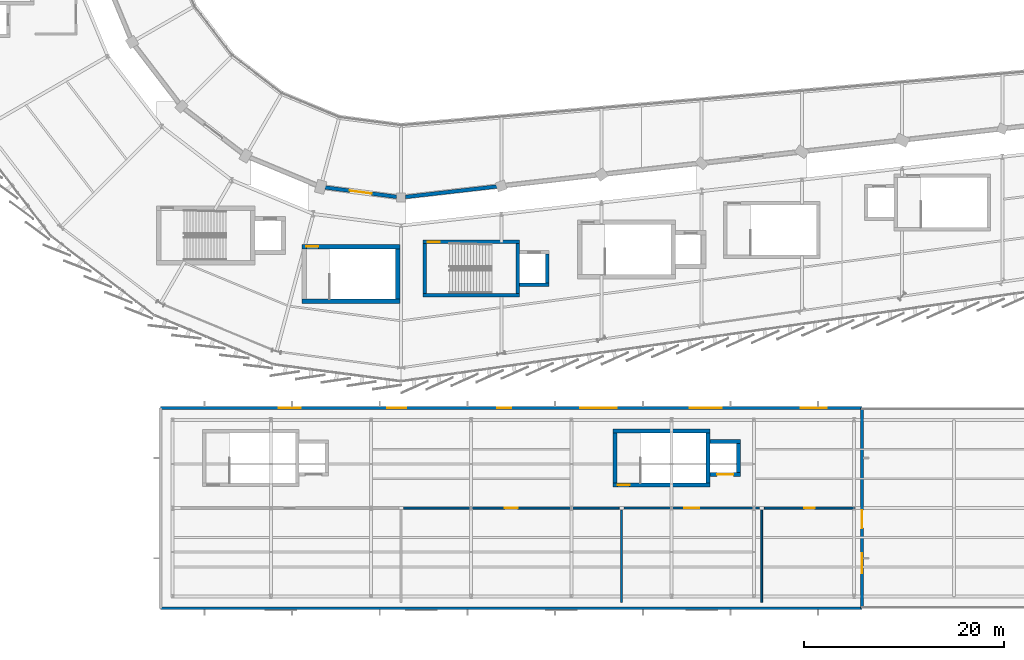
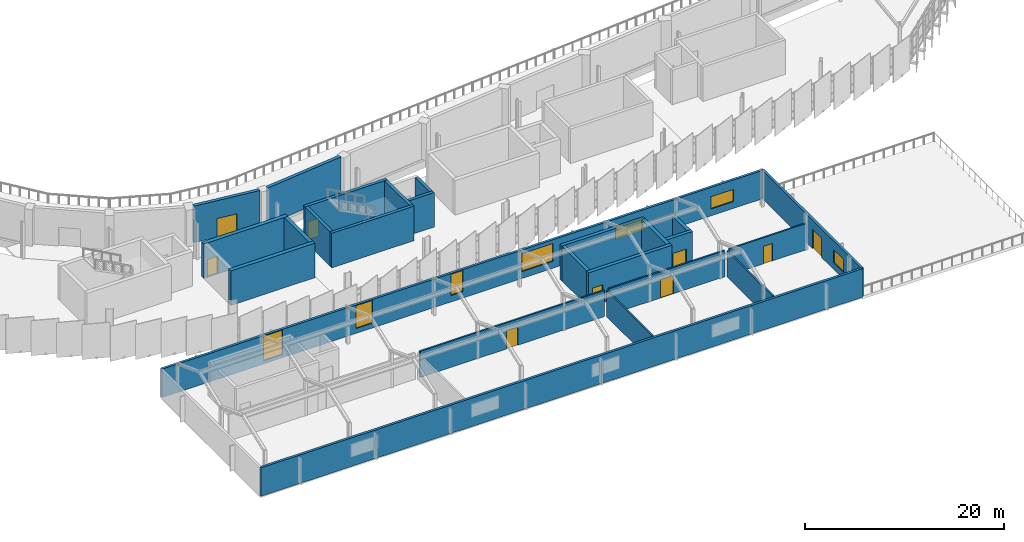
# One storey, part 75 of 87: 26 walls, 9 doors, 7 windows, 16 openings.
"""IFC4 building model written with IfcOpenShell, lengths in metres."""

from ifc_helpers import new_model, si_unit, direction, frame, frame_2d, origin, place, context, subcontext, project, spatial, rectangle, extrude, material, layer, layer_set, type_object, element, fill, save


model = new_model("IFC4")

# Units and contexts
model_context = context("Model", 3, precision=1e-05, world=origin(), true_north=direction((0.0, 1.0)))
body_context = subcontext(model_context, "Body", "Model", "MODEL_VIEW")
ifc_project = project(units=[si_unit("LENGTHUNIT", "METRE"), si_unit("AREAUNIT", "SQUARE_METRE"), si_unit("VOLUMEUNIT", "CUBIC_METRE"), si_unit("PLANEANGLEUNIT", "RADIAN"), si_unit("MASSUNIT", "GRAM", prefix="KILO")], contexts=[model_context])

# Site, building, storey
site_placement = place(None, origin())
site = spatial("IfcSite", under=ifc_project, at=site_placement, CompositionType="ELEMENT")
building_placement = place(site_placement, origin())
building = spatial("IfcBuilding", under=site, at=building_placement, Name="Sohan Crest Arena", CompositionType="ELEMENT")
storey_placement = place(building_placement, frame((0.0, 0.0, 18.0)))
storey = spatial("IfcBuildingStorey", under=building, at=storey_placement, Name="L04", CompositionType="ELEMENT", Elevation=18.0)

# Wall
ifc_material_1 = material(Name="Clinker brick and ceramic mosaic envelope wall", Category="masonry")
ifc_layer_1 = layer(ifc_material_1, 0.280029296875, Name="Clinker brick and ceramic mosaic envelope wall")
ifc_layer_set_1 = layer_set([ifc_layer_1], Name="Clinker brick and ceramic mosaic envelope wall")
wall_type_1 = type_object("IfcWallType", Name="WAL-EW02", PredefinedType="SOLIDWALL", material=ifc_layer_set_1)
wall_1_placement = place(storey_placement, frame((74.0, 6.0, 0.0), z_axis=(0.0, 0.0, 1.0), x_axis=(1.0, 0.0, 0.0)))
element("IfcWall", 1, at=wall_1_placement, inside=storey, type_object=wall_type_1, Name="External wall EW-142", PredefinedType="SOLIDWALL", context=body_context, shape_type="SweptSolid", body=[
    extrude(rectangle(XDim=70.0, YDim=0.280029296875, at=frame_2d((35.0, 0.0))), origin(), (0.0, 0.0, 1.0), 3.5),
])

# Wall, openings, door, window
wall_2_placement = place(storey_placement, frame((144.0, 6.0, 0.0), z_axis=(0.0, 0.0, 1.0), x_axis=(0.0, 1.0, 0.0)))
wall_2 = element("IfcWall", 2, at=wall_2_placement, inside=storey, type_object=wall_type_1, Name="External wall EW-143", PredefinedType="SOLIDWALL", context=body_context, shape_type="SweptSolid", body=[
    extrude(rectangle(XDim=20.0, YDim=0.280029296875, at=frame_2d((10.0, 0.0))), origin(), (0.0, 0.0, 1.0), 3.5),
])
opening_1_placement = place(wall_2_placement, frame((3.5, 0.0, 0.85009765625)))
opening_1 = element("IfcOpeningElement", 3, at=opening_1_placement, cuts=wall_2, Name="Opening W-073", PredefinedType="OPENING", context=body_context, shape_type="SweptSolid", body=[
    extrude(rectangle(XDim=2.0, YDim=1.60009765625, at=frame_2d((1.0, 0.800048828125))), frame((0.0, 0.14990234375, 0.0), z_axis=(0.0, -1.0, 0.0), x_axis=(1.0, 0.0, 0.0)), (0.0, 0.0, 1.0), 0.300048828125),
])
opening_2_placement = place(wall_2_placement, frame((8.0, 0.0, 0.0)))
opening_2 = element("IfcOpeningElement", 4, at=opening_2_placement, cuts=wall_2, Name="Opening TD-L04-01", PredefinedType="OPENING", context=body_context, shape_type="SweptSolid", body=[
    extrude(rectangle(XDim=1.800048828125, YDim=2.35009765625, at=frame_2d((0.89990234375, 1.175048828125))), frame((0.0, 0.14990234375, 0.0), z_axis=(0.0, -1.0, 0.0), x_axis=(1.0, 0.0, 0.0)), (0.0, 0.0, 1.0), 0.300048828125),
])
ifc_material_2 = material(Name="Glazed aluminium terrace access door", Category="aluminium")
door_type_1 = type_object("IfcDoorType", Name="DR-ED01", OperationType="DOUBLE_DOOR_SINGLE_SWING", PredefinedType="DOOR", material=ifc_material_2)
door_1_placement = place(opening_2_placement, frame((1.800048828125, 0.0, 0.0), z_axis=(0.0, 0.0, 1.0), x_axis=(-1.0, 0.0, 0.0)))
door_1 = element("IfcDoor", 5, at=door_1_placement, inside=storey, type_object=door_type_1, Name="East roof garden terrace access door TD-L04-01", OperationType="DOUBLE_DOOR_SINGLE_SWING", OverallHeight=2.35009765625, OverallWidth=1.800048828125, PredefinedType="DOOR", context=body_context, shape_type="SweptSolid", body=[
    extrude(rectangle(XDim=1.800048828125, YDim=2.35009765625, at=frame_2d((0.89990234375, 1.175048828125))), frame((0.0, 0.02490234375, 0.0), z_axis=(0.0, -1.0, 0.0), x_axis=(1.0, 0.0, 0.0)), (0.0, 0.0, 1.0), 0.050048828125),
])
fill(opening_2, door_1)
ifc_material_3 = material(Name="Low-E double-glazed insulated glass", Category="glass")
window_type_1 = type_object("IfcWindowType", Name="WIN-W09", PartitioningType="SINGLE_PANEL", PredefinedType="WINDOW", material=ifc_material_3)
window_1_placement = place(opening_1_placement, origin())
window_1 = element("IfcWindow", 6, at=window_1_placement, inside=storey, type_object=window_type_1, Name="Catalan arched wing window W-073", OverallHeight=1.60009765625, OverallWidth=2.0, PartitioningType="SINGLE_PANEL", PredefinedType="WINDOW", context=body_context, shape_type="SweptSolid", body=[
    extrude(rectangle(XDim=2.0, YDim=1.60009765625, at=frame_2d((1.0, 0.800048828125))), frame((0.0, 0.030029296875, 0.0), z_axis=(0.0, -1.0, 0.0), x_axis=(1.0, 0.0, 0.0)), (0.0, 0.0, 1.0), 0.06005859375),
])
fill(opening_1, window_1)

# Wall, openings, windows
wall_3_placement = place(storey_placement, frame((144.0, 26.0, 0.0), z_axis=(0.0, 0.0, 1.0), x_axis=(-1.0, 0.0, 0.0)))
wall_3 = element("IfcWall", 7, at=wall_3_placement, inside=storey, type_object=wall_type_1, Name="External wall EW-144", PredefinedType="SOLIDWALL", context=body_context, shape_type="SweptSolid", body=[
    extrude(rectangle(XDim=70.0, YDim=0.280029296875, at=frame_2d((35.0, 0.0))), origin(), (0.0, 0.0, 1.0), 3.5),
])
opening_3_placement = place(wall_3_placement, frame((3.5, 0.0, 0.85009765625)))
opening_3 = element("IfcOpeningElement", 8, at=opening_3_placement, cuts=wall_3, Name="Opening W-074", PredefinedType="OPENING", context=body_context, shape_type="SweptSolid", body=[
    extrude(rectangle(XDim=2.60009765625, YDim=1.5, at=frame_2d((1.300048828125, 0.75))), frame((0.0, 0.14990234375, 0.0), z_axis=(0.0, -1.0, 0.0), x_axis=(1.0, 0.0, 0.0)), (0.0, 0.0, 1.0), 0.300048828125),
])
opening_4_placement = place(wall_3_placement, frame((14.0, 0.0, 0.85009765625)))
opening_4 = element("IfcOpeningElement", 9, at=opening_4_placement, cuts=wall_3, Name="Opening W-075", PredefinedType="OPENING", context=body_context, shape_type="SweptSolid", body=[
    extrude(rectangle(XDim=3.199951171875, YDim=1.60009765625, at=frame_2d((1.60009765625, 0.800048828125))), frame((0.0, 0.14990234375, 0.0), z_axis=(0.0, -1.0, 0.0), x_axis=(1.0, 0.0, 0.0)), (0.0, 0.0, 1.0), 0.300048828125),
])
opening_5_placement = place(wall_3_placement, frame((24.5, 0.0, 0.85009765625)))
opening_5 = element("IfcOpeningElement", 10, at=opening_5_placement, cuts=wall_3, Name="Opening W-076", PredefinedType="OPENING", context=body_context, shape_type="SweptSolid", body=[
    extrude(rectangle(XDim=3.60009765625, YDim=2.199951171875, at=frame_2d((1.800048828125, 1.10009765625))), frame((0.0, 0.14990234375, 0.0), z_axis=(0.0, -1.0, 0.0), x_axis=(1.0, 0.0, 0.0)), (0.0, 0.0, 1.0), 0.300048828125),
])
opening_6_placement = place(wall_3_placement, frame((35.0, 0.0, 0.800048828125)))
opening_6 = element("IfcOpeningElement", 11, at=opening_6_placement, cuts=wall_3, Name="Opening W-077", PredefinedType="OPENING", context=body_context, shape_type="SweptSolid", body=[
    extrude(rectangle(XDim=1.39990234375, YDim=2.60009765625, at=frame_2d((0.699951171875, 1.300048828125))), frame((0.0, 0.14990234375, 0.0), z_axis=(0.0, -1.0, 0.0), x_axis=(1.0, 0.0, 0.0)), (0.0, 0.0, 1.0), 0.300048828125),
])
opening_7_placement = place(wall_3_placement, frame((45.5, 0.0, 0.60009765625)))
opening_7 = element("IfcOpeningElement", 12, at=opening_7_placement, cuts=wall_3, Name="Opening W-078", PredefinedType="OPENING", context=body_context, shape_type="SweptSolid", body=[
    extrude(rectangle(XDim=1.89990234375, YDim=2.800048828125, at=frame_2d((0.949951171875, 1.39990234375))), frame((0.0, 0.14990234375, 0.0), z_axis=(0.0, -1.0, 0.0), x_axis=(1.0, 0.0, 0.0)), (0.0, 0.0, 1.0), 0.300048828125),
])
opening_8_placement = place(wall_3_placement, frame((56.0, 0.0, 0.39990234375)))
opening_8 = element("IfcOpeningElement", 13, at=opening_8_placement, cuts=wall_3, Name="Opening W-079", PredefinedType="OPENING", context=body_context, shape_type="SweptSolid", body=[
    extrude(rectangle(XDim=2.199951171875, YDim=3.0, at=frame_2d((1.10009765625, 1.5))), frame((0.0, 0.14990234375, 0.0), z_axis=(0.0, -1.0, 0.0), x_axis=(1.0, 0.0, 0.0)), (0.0, 0.0, 1.0), 0.300048828125),
])
window_type_2 = type_object("IfcWindowType", Name="WIN-W10", PartitioningType="SINGLE_PANEL", PredefinedType="WINDOW", material=ifc_material_3)
window_2_placement = place(opening_3_placement, origin())
window_2 = element("IfcWindow", 14, at=window_2_placement, inside=storey, type_object=window_type_2, Name="Catalan arched wing window W-074", OverallHeight=1.5, OverallWidth=2.60009765625, PartitioningType="SINGLE_PANEL", PredefinedType="WINDOW", context=body_context, shape_type="SweptSolid", body=[
    extrude(rectangle(XDim=2.60009765625, YDim=1.5, at=frame_2d((1.300048828125, 0.75))), frame((0.0, 0.030029296875, 0.0), z_axis=(0.0, -1.0, 0.0), x_axis=(1.0, 0.0, 0.0)), (0.0, 0.0, 1.0), 0.06005859375),
])
fill(opening_3, window_2)
window_type_3 = type_object("IfcWindowType", Name="WIN-W11", PartitioningType="SINGLE_PANEL", PredefinedType="WINDOW", material=ifc_material_3)
window_3_placement = place(opening_4_placement, origin())
window_3 = element("IfcWindow", 15, at=window_3_placement, inside=storey, type_object=window_type_3, Name="Catalan arched wing window W-075", OverallHeight=1.60009765625, OverallWidth=3.199951171875, PartitioningType="SINGLE_PANEL", PredefinedType="WINDOW", context=body_context, shape_type="SweptSolid", body=[
    extrude(rectangle(XDim=3.199951171875, YDim=1.60009765625, at=frame_2d((1.60009765625, 0.800048828125))), frame((0.0, 0.030029296875, 0.0), z_axis=(0.0, -1.0, 0.0), x_axis=(1.0, 0.0, 0.0)), (0.0, 0.0, 1.0), 0.06005859375),
])
fill(opening_4, window_3)
window_type_4 = type_object("IfcWindowType", Name="WIN-W12", PartitioningType="SINGLE_PANEL", PredefinedType="WINDOW", material=ifc_material_3)
window_4_placement = place(opening_5_placement, origin())
window_4 = element("IfcWindow", 16, at=window_4_placement, inside=storey, type_object=window_type_4, Name="Catalan arched wing window W-076", OverallHeight=2.199951171875, OverallWidth=3.60009765625, PartitioningType="SINGLE_PANEL", PredefinedType="WINDOW", context=body_context, shape_type="SweptSolid", body=[
    extrude(rectangle(XDim=3.60009765625, YDim=2.199951171875, at=frame_2d((1.800048828125, 1.10009765625))), frame((0.0, 0.030029296875, 0.0), z_axis=(0.0, -1.0, 0.0), x_axis=(1.0, 0.0, 0.0)), (0.0, 0.0, 1.0), 0.06005859375),
])
fill(opening_5, window_4)
window_type_5 = type_object("IfcWindowType", Name="WIN-W13", PartitioningType="SINGLE_PANEL", PredefinedType="WINDOW", material=ifc_material_3)
window_5_placement = place(opening_6_placement, origin())
window_5 = element("IfcWindow", 17, at=window_5_placement, inside=storey, type_object=window_type_5, Name="Catalan arched wing window W-077", OverallHeight=2.60009765625, OverallWidth=1.39990234375, PartitioningType="SINGLE_PANEL", PredefinedType="WINDOW", context=body_context, shape_type="SweptSolid", body=[
    extrude(rectangle(XDim=1.39990234375, YDim=2.60009765625, at=frame_2d((0.699951171875, 1.300048828125))), frame((0.0, 0.030029296875, 0.0), z_axis=(0.0, -1.0, 0.0), x_axis=(1.0, 0.0, 0.0)), (0.0, 0.0, 1.0), 0.06005859375),
])
fill(opening_6, window_5)
window_type_6 = type_object("IfcWindowType", Name="WIN-W14", PartitioningType="SINGLE_PANEL", PredefinedType="WINDOW", material=ifc_material_3)
window_6_placement = place(opening_7_placement, origin())
window_6 = element("IfcWindow", 18, at=window_6_placement, inside=storey, type_object=window_type_6, Name="Catalan arched wing window W-078", OverallHeight=2.800048828125, OverallWidth=1.89990234375, PartitioningType="SINGLE_PANEL", PredefinedType="WINDOW", context=body_context, shape_type="SweptSolid", body=[
    extrude(rectangle(XDim=1.89990234375, YDim=2.800048828125, at=frame_2d((0.949951171875, 1.39990234375))), frame((0.0, 0.030029296875, 0.0), z_axis=(0.0, -1.0, 0.0), x_axis=(1.0, 0.0, 0.0)), (0.0, 0.0, 1.0), 0.06005859375),
])
fill(opening_7, window_6)
window_type_7 = type_object("IfcWindowType", Name="WIN-W15", PartitioningType="SINGLE_PANEL", PredefinedType="WINDOW", material=ifc_material_3)
window_7_placement = place(opening_8_placement, origin())
window_7 = element("IfcWindow", 19, at=window_7_placement, inside=storey, type_object=window_type_7, Name="Catalan arched wing window W-079", OverallHeight=3.0, OverallWidth=2.199951171875, PartitioningType="SINGLE_PANEL", PredefinedType="WINDOW", context=body_context, shape_type="SweptSolid", body=[
    extrude(rectangle(XDim=2.199951171875, YDim=3.0, at=frame_2d((1.10009765625, 1.5))), frame((0.0, 0.030029296875, 0.0), z_axis=(0.0, -1.0, 0.0), x_axis=(1.0, 0.0, 0.0)), (0.0, 0.0, 1.0), 0.06005859375),
])
fill(opening_8, window_7)

# Wall, opening, door
ifc_material_4 = material(Name="Acoustic insulated bowl drum enclosure wall", Category="masonry")
ifc_layer_2 = layer(ifc_material_4, 0.3701171875, Name="Acoustic insulated bowl drum enclosure wall")
ifc_layer_set_2 = layer_set([ifc_layer_2], Name="Acoustic insulated bowl drum enclosure wall")
wall_type_2 = type_object("IfcWallType", Name="WAL-EW05", PredefinedType="SOLIDWALL", material=ifc_layer_set_2)
wall_4_placement = place(storey_placement, frame((90.4130859375, 47.9990234375, 0.0), z_axis=(0.0, 0.0, 1.0), x_axis=(0.991432160885, -0.130622625772, 0.0)))
wall_4 = element("IfcWall", 20, at=wall_4_placement, inside=storey, type_object=wall_type_2, Name="Acoustic bowl drum wall BW-L04-12", PredefinedType="SOLIDWALL", context=body_context, shape_type="SweptSolid", body=[
    extrude(rectangle(XDim=7.212646484375, YDim=0.3701171875, at=frame_2d((3.6064453125, 0.0))), origin(), (0.0, 0.0, 1.0), 4.5),
])
opening_9_placement = place(wall_4_placement, frame((2.506103515625, 0.0, 0.0)))
opening_9 = element("IfcOpeningElement", 21, at=opening_9_placement, cuts=wall_4, Name="Opening VD-L04-12", PredefinedType="OPENING", context=body_context, shape_type="SweptSolid", body=[
    extrude(rectangle(XDim=2.199951171875, YDim=2.300048828125, at=frame_2d((1.10009765625, 1.14990234375))), frame((0.0, 0.195068359375, 0.0), z_axis=(0.0, -1.0, 0.0), x_axis=(1.0, 0.0, 0.0)), (0.0, 0.0, 1.0), 0.39013671875),
])
ifc_material_5 = material(Name="Fire-rated steel double escape door", Category="steel")
door_type_2 = type_object("IfcDoorType", Name="DR-FD01", OperationType="DOUBLE_DOOR_SINGLE_SWING", PredefinedType="DOOR", material=ifc_material_5)
door_2_placement = place(opening_9_placement, origin())
door_2 = element("IfcDoor", 22, at=door_2_placement, inside=storey, type_object=door_type_2, Name="Bowl vomitory portal fire door VD-L04-12", OperationType="DOUBLE_DOOR_SINGLE_SWING", OverallHeight=2.300048828125, OverallWidth=2.199951171875, PredefinedType="DOOR", context=body_context, shape_type="SweptSolid", body=[
    extrude(rectangle(XDim=2.199951171875, YDim=2.300048828125, at=frame_2d((1.10009765625, 1.14990234375))), frame((0.0, 0.02490234375, 0.0), z_axis=(0.0, -1.0, 0.0), x_axis=(1.0, 0.0, 0.0)), (0.0, 0.0, 1.0), 0.050048828125),
])
fill(opening_9, door_2)

# Wall
wall_5_placement = place(storey_placement, frame((98.43701171875, 47.050048828125, 0.0), z_axis=(0.0, 0.0, 1.0), x_axis=(0.993532672656, 0.113546591161, 0.0)))
element("IfcWall", 23, at=wall_5_placement, inside=storey, type_object=wall_type_2, Name="Acoustic bowl drum wall BW-L04-13", PredefinedType="SOLIDWALL", context=body_context, shape_type="SweptSolid", body=[
    extrude(rectangle(XDim=9.185302734375, YDim=0.3701171875, at=frame_2d((4.5927734375, 0.0))), origin(), (0.0, 0.0, 1.0), 4.5),
])

# Wall, opening, door
ifc_material_6 = material(Name="Back-of-house masonry room partition", Category="masonry")
ifc_layer_3 = layer(ifc_material_6, 0.179931640625, Name="Back-of-house masonry room partition")
ifc_layer_set_3 = layer_set([ifc_layer_3], Name="Back-of-house masonry room partition")
wall_type_3 = type_object("IfcWallType", Name="WAL-PW05", PredefinedType="PARTITIONING", material=ifc_layer_set_3)
wall_6_placement = place(storey_placement, frame((98.25, 16.0, 0.0), z_axis=(0.0, 0.0, 1.0), x_axis=(1.0, 0.0, 0.0)))
wall_6 = element("IfcWall", 24, at=wall_6_placement, inside=storey, type_object=wall_type_3, Name="Interior partition wall PW-0941", PredefinedType="PARTITIONING", context=body_context, shape_type="SweptSolid", body=[
    extrude(rectangle(XDim=21.5, YDim=0.179931640625, at=frame_2d((10.75, 0.0))), origin(), (0.0, 0.0, 1.0), 3.219970703125),
])
opening_10_placement = place(wall_6_placement, frame((10.090087890625, 0.0, 0.0)))
opening_10 = element("IfcOpeningElement", 25, at=opening_10_placement, cuts=wall_6, Name="Opening V5D-0289", PredefinedType="OPENING", context=body_context, shape_type="SweptSolid", body=[
    extrude(rectangle(XDim=1.320068359375, YDim=2.219970703125, at=frame_2d((0.66015625, 1.10986328125))), frame((0.0, 0.099853515625, 0.0), z_axis=(0.0, -1.0, 0.0), x_axis=(1.0, 0.0, 0.0)), (0.0, 0.0, 1.0), 0.199951171875),
])
ifc_material_7 = material(Name="Solid oak acoustic room door", Category="wood")
door_type_3 = type_object("IfcDoorType", Name="DR-ID13", OperationType="NOTDEFINED", PredefinedType="DOOR", material=ifc_material_7)
door_3_placement = place(opening_10_placement, origin())
door_3 = element("IfcDoor", 26, at=door_3_placement, inside=storey, type_object=door_type_3, Name="Smoke-Exhaust Fan Room door V5D-0289", OperationType="SINGLE_SWING_RIGHT", OverallHeight=2.219970703125, OverallWidth=1.320068359375, PredefinedType="DOOR", context=body_context, shape_type="SweptSolid", body=[
    extrude(rectangle(XDim=1.320068359375, YDim=2.219970703125, at=frame_2d((0.66015625, 1.10986328125))), frame((0.0, 0.02490234375, 0.0), z_axis=(0.0, -1.0, 0.0), x_axis=(1.0, 0.0, 0.0)), (0.0, 0.0, 1.0), 0.050048828125),
])
fill(opening_10, door_3)

# Wall
wall_7_placement = place(storey_placement, frame((120.0, 6.60009765625, 0.0), z_axis=(0.0, 0.0, 1.0), x_axis=(0.0, 1.0, 0.0)))
element("IfcWall", 27, at=wall_7_placement, inside=storey, type_object=wall_type_3, Name="Interior partition wall PW-0942", PredefinedType="PARTITIONING", context=body_context, shape_type="SweptSolid", body=[
    extrude(rectangle(XDim=9.199951171875, YDim=0.179931640625, at=frame_2d((4.60009765625, 0.0))), origin(), (0.0, 0.0, 1.0), 3.219970703125),
])

# Wall, opening, door
wall_8_placement = place(storey_placement, frame((120.25, 16.0, 0.0), z_axis=(0.0, 0.0, 1.0), x_axis=(1.0, 0.0, 0.0)))
wall_8 = element("IfcWall", 28, at=wall_8_placement, inside=storey, type_object=wall_type_3, Name="Interior partition wall PW-0943", PredefinedType="PARTITIONING", context=body_context, shape_type="SweptSolid", body=[
    extrude(rectangle(XDim=13.5, YDim=0.179931640625, at=frame_2d((6.75, 0.0))), origin(), (0.0, 0.0, 1.0), 3.219970703125),
])
opening_11_placement = place(wall_8_placement, frame((6.010009765625, 0.0, 0.0)))
opening_11 = element("IfcOpeningElement", 29, at=opening_11_placement, cuts=wall_8, Name="Opening V5D-0290", PredefinedType="OPENING", context=body_context, shape_type="SweptSolid", body=[
    extrude(rectangle(XDim=1.47998046875, YDim=2.239990234375, at=frame_2d((0.739990234375, 1.1201171875))), frame((0.0, 0.099853515625, 0.0), z_axis=(0.0, -1.0, 0.0), x_axis=(1.0, 0.0, 0.0)), (0.0, 0.0, 1.0), 0.199951171875),
])
door_type_4 = type_object("IfcDoorType", Name="DR-ID14", OperationType="DOUBLE_DOOR_SINGLE_SWING", PredefinedType="DOOR", material=ifc_material_7)
door_4_placement = place(opening_11_placement, origin())
door_4 = element("IfcDoor", 30, at=door_4_placement, inside=storey, type_object=door_type_4, Name="VIP Terrace Staff Lounge door V5D-0290", OperationType="DOUBLE_DOOR_SINGLE_SWING", OverallHeight=2.239990234375, OverallWidth=1.47998046875, PredefinedType="DOOR", context=body_context, shape_type="SweptSolid", body=[
    extrude(rectangle(XDim=1.47998046875, YDim=2.239990234375, at=frame_2d((0.739990234375, 1.1201171875))), frame((0.0, 0.02490234375, 0.0), z_axis=(0.0, -1.0, 0.0), x_axis=(1.0, 0.0, 0.0)), (0.0, 0.0, 1.0), 0.050048828125),
])
fill(opening_11, door_4)

# Wall
wall_9_placement = place(storey_placement, frame((134.0, 6.60009765625, 0.0), z_axis=(0.0, 0.0, 1.0), x_axis=(0.0, 1.0, 0.0)))
element("IfcWall", 31, at=wall_9_placement, inside=storey, type_object=wall_type_3, Name="Interior partition wall PW-0944", PredefinedType="PARTITIONING", context=body_context, shape_type="SweptSolid", body=[
    extrude(rectangle(XDim=9.199951171875, YDim=0.179931640625, at=frame_2d((4.60009765625, 0.0))), origin(), (0.0, 0.0, 1.0), 3.219970703125),
])

# Wall, opening, door
wall_10_placement = place(storey_placement, frame((134.25, 16.0, 0.0), z_axis=(0.0, 0.0, 1.0), x_axis=(1.0, 0.0, 0.0)))
wall_10 = element("IfcWall", 32, at=wall_10_placement, inside=storey, type_object=wall_type_3, Name="Interior partition wall PW-0945", PredefinedType="PARTITIONING", context=body_context, shape_type="SweptSolid", body=[
    extrude(rectangle(XDim=9.0, YDim=0.179931640625, at=frame_2d((4.5, 0.0))), origin(), (0.0, 0.0, 1.0), 3.219970703125),
])
opening_12_placement = place(wall_10_placement, frame((3.989990234375, 0.0, 0.0)))
opening_12 = element("IfcOpeningElement", 33, at=opening_12_placement, cuts=wall_10, Name="Opening V5D-0291", PredefinedType="OPENING", context=body_context, shape_type="SweptSolid", body=[
    extrude(rectangle(XDim=1.02001953125, YDim=2.14990234375, at=frame_2d((0.510009765625, 1.074951171875))), frame((0.0, 0.099853515625, 0.0), z_axis=(0.0, -1.0, 0.0), x_axis=(1.0, 0.0, 0.0)), (0.0, 0.0, 1.0), 0.199951171875),
])
ifc_material_8 = material(Name="Accessible toilet and dressing room door", Category="wood")
door_type_5 = type_object("IfcDoorType", Name="DR-ID03", OperationType="NOTDEFINED", PredefinedType="DOOR", material=ifc_material_8)
door_5_placement = place(opening_12_placement, origin())
door_5 = element("IfcDoor", 34, at=door_5_placement, inside=storey, type_object=door_type_5, Name="Accessible WC L04 door V5D-0291", OperationType="SINGLE_SWING_LEFT", OverallHeight=2.14990234375, OverallWidth=1.02001953125, PredefinedType="DOOR", context=body_context, shape_type="SweptSolid", body=[
    extrude(rectangle(XDim=1.02001953125, YDim=2.14990234375, at=frame_2d((0.510009765625, 1.074951171875))), frame((0.0, 0.02490234375, 0.0), z_axis=(0.0, -1.0, 0.0), x_axis=(1.0, 0.0, 0.0)), (0.0, 0.0, 1.0), 0.050048828125),
])
fill(opening_12, door_5)

# Walls
ifc_material_9 = material(Name="Concrete C40/50", Category="concrete")
ifc_layer_4 = layer(ifc_material_9, 0.35009765625, Name="Concrete C40/50")
ifc_layer_set_4 = layer_set([ifc_layer_4], Name="Concrete C40/50")
wall_type_4 = type_object("IfcWallType", Name="WAL-SW02", PredefinedType="SHEAR", material=ifc_layer_set_4)
for number, where, z_axis, x_axis, name in (
    (35, (100.375, 37.39990234375, 0.0), (0.0, 0.0, 1.0), (0.0, 1.0, 0.0), "Core shear wall SW-0271"),
    (36, (109.625, 37.39990234375, 0.0), (0.0, 0.0, 1.0), (0.0, 1.0, 0.0), "Core shear wall SW-0272"),
):
    element("IfcWall", number, at=place(storey_placement, frame(where, z_axis=z_axis, x_axis=x_axis)), inside=storey, type_object=wall_type_4, Name=name, PredefinedType="SHEAR", context=body_context, shape_type="SweptSolid", body=[
        extrude(rectangle(XDim=5.0, YDim=0.35009765625, at=frame_2d((2.5, 0.0))), origin(), (0.0, 0.0, 1.0), 4.25),
    ])
wall_11_placement = place(storey_placement, frame((100.199951171875, 37.22509765625, 0.0), z_axis=(0.0, 0.0, 1.0), x_axis=(1.0, 0.0, 0.0)))
element("IfcWall", 37, at=wall_11_placement, inside=storey, type_object=wall_type_4, Name="Core shear wall SW-0273", PredefinedType="SHEAR", context=body_context, shape_type="SweptSolid", body=[
    extrude(rectangle(XDim=9.60009765625, YDim=0.35009765625, at=frame_2d((4.800048828125, 0.0))), origin(), (0.0, 0.0, 1.0), 4.25),
])

# Wall, opening, door
wall_12_placement = place(storey_placement, frame((100.199951171875, 42.574951171875, 0.0), z_axis=(0.0, 0.0, 1.0), x_axis=(1.0, 0.0, 0.0)))
wall_12 = element("IfcWall", 38, at=wall_12_placement, inside=storey, type_object=wall_type_4, Name="Core shear wall SW-0274", PredefinedType="SHEAR", context=body_context, shape_type="SweptSolid", body=[
    extrude(rectangle(XDim=9.60009765625, YDim=0.35009765625, at=frame_2d((4.800048828125, 0.0))), origin(), (0.0, 0.0, 1.0), 4.25),
])
opening_13_placement = place(wall_12_placement, frame((0.449951171875, 0.0, 0.0)))
opening_13 = element("IfcOpeningElement", 39, at=opening_13_placement, cuts=wall_12, Name="Opening SD-0079", PredefinedType="OPENING", context=body_context, shape_type="SweptSolid", body=[
    extrude(rectangle(XDim=1.199951171875, YDim=2.199951171875, at=frame_2d((0.60009765625, 1.10009765625))), frame((0.0, 0.18505859375, 0.0), z_axis=(0.0, -1.0, 0.0), x_axis=(1.0, 0.0, 0.0)), (0.0, 0.0, 1.0), 0.3701171875),
])
ifc_material_10 = material(Name="Fire-rated steel stair and lobby door", Category="steel")
door_type_6 = type_object("IfcDoorType", Name="DR-FD04", OperationType="NOTDEFINED", PredefinedType="DOOR", material=ifc_material_10)
door_6_placement = place(opening_13_placement, origin())
door_6 = element("IfcDoor", 40, at=door_6_placement, inside=storey, type_object=door_type_6, Name="Protected stair door SD-0079", OperationType="SINGLE_SWING_LEFT", OverallHeight=2.199951171875, OverallWidth=1.199951171875, PredefinedType="DOOR", context=body_context, shape_type="SweptSolid", body=[
    extrude(rectangle(XDim=1.199951171875, YDim=2.199951171875, at=frame_2d((0.60009765625, 1.10009765625))), frame((0.0, 0.02490234375, 0.0), z_axis=(0.0, -1.0, 0.0), x_axis=(1.0, 0.0, 0.0)), (0.0, 0.0, 1.0), 0.050048828125),
])
fill(opening_13, door_6)

# Walls
wall_13_placement = place(storey_placement, frame((112.574951171875, 38.449951171875, 0.0), z_axis=(0.0, 0.0, 1.0), x_axis=(0.0, 1.0, 0.0)))
element("IfcWall", 41, at=wall_13_placement, inside=storey, type_object=wall_type_4, Name="Core shear wall SW-0275", PredefinedType="SHEAR", context=body_context, shape_type="SweptSolid", body=[
    extrude(rectangle(XDim=2.900146484375, YDim=0.35009765625, at=frame_2d((1.4501953125, 0.0))), origin(), (0.0, 0.0, 1.0), 4.25),
])
wall_14_placement = place(storey_placement, frame((109.800048828125, 38.27490234375, 0.0), z_axis=(0.0, 0.0, 1.0), x_axis=(1.0, 0.0, 0.0)))
element("IfcWall", 42, at=wall_14_placement, inside=storey, type_object=wall_type_4, Name="Core shear wall SW-0276", PredefinedType="SHEAR", context=body_context, shape_type="SweptSolid", body=[
    extrude(rectangle(XDim=2.949951171875, YDim=0.35009765625, at=frame_2d((1.47509765625, 0.0))), origin(), (0.0, 0.0, 1.0), 4.25),
])
ifc_layer_5 = layer(ifc_material_9, 0.39990234375, Name="Concrete C40/50")
ifc_layer_set_5 = layer_set([ifc_layer_5], Name="Concrete C40/50")
wall_type_5 = type_object("IfcWallType", Name="WAL-SW03", PredefinedType="SHEAR", material=ifc_layer_set_5)
for number, where, z_axis, x_axis, name in (
    (43, (119.35009765625, 18.5, 0.0), (0.0, 0.0, 1.0), (0.0, 1.0, 0.0), "Core shear wall SW-0726"),
    (44, (128.64990234375, 18.5, 0.0), (0.0, 0.0, 1.0), (0.0, 1.0, 0.0), "Core shear wall SW-0727"),
):
    element("IfcWall", number, at=place(storey_placement, frame(where, z_axis=z_axis, x_axis=x_axis)), inside=storey, type_object=wall_type_5, Name=name, PredefinedType="SHEAR", context=body_context, shape_type="SweptSolid", body=[
        extrude(rectangle(XDim=5.0, YDim=0.39990234375, at=frame_2d((2.5, 0.0))), origin(), (0.0, 0.0, 1.0), 4.260009765625),
    ])

# Wall, opening, door
wall_15_placement = place(storey_placement, frame((119.14990234375, 18.300048828125, 0.0), z_axis=(0.0, 0.0, 1.0), x_axis=(1.0, 0.0, 0.0)))
wall_15 = element("IfcWall", 45, at=wall_15_placement, inside=storey, type_object=wall_type_5, Name="Core shear wall SW-0728", PredefinedType="SHEAR", context=body_context, shape_type="SweptSolid", body=[
    extrude(rectangle(XDim=9.7001953125, YDim=0.39990234375, at=frame_2d((4.85009765625, 0.0))), origin(), (0.0, 0.0, 1.0), 4.260009765625),
])
opening_14_placement = place(wall_15_placement, frame((0.449951171875, 0.0, 0.0)))
opening_14 = element("IfcOpeningElement", 46, at=opening_14_placement, cuts=wall_15, Name="Opening SD-0197", PredefinedType="OPENING", context=body_context, shape_type="SweptSolid", body=[
    extrude(rectangle(XDim=1.199951171875, YDim=2.199951171875, at=frame_2d((0.60009765625, 1.10009765625))), frame((0.0, 0.2099609375, 0.0), z_axis=(0.0, -1.0, 0.0), x_axis=(1.0, 0.0, 0.0)), (0.0, 0.0, 1.0), 0.419921875),
])
door_7_placement = place(opening_14_placement, frame((1.199951171875, 0.0, 0.0), z_axis=(0.0, 0.0, 1.0), x_axis=(-1.0, 0.0, 0.0)))
door_7 = element("IfcDoor", 47, at=door_7_placement, inside=storey, type_object=door_type_6, Name="Protected stair door SD-0197", OperationType="SINGLE_SWING_RIGHT", OverallHeight=2.199951171875, OverallWidth=1.199951171875, PredefinedType="DOOR", context=body_context, shape_type="SweptSolid", body=[
    extrude(rectangle(XDim=1.199951171875, YDim=2.199951171875, at=frame_2d((0.60009765625, 1.10009765625))), frame((0.0, 0.02490234375, 0.0), z_axis=(0.0, -1.0, 0.0), x_axis=(1.0, 0.0, 0.0)), (0.0, 0.0, 1.0), 0.050048828125),
])
fill(opening_14, door_7)

# Walls
wall_16_placement = place(storey_placement, frame((119.14990234375, 23.699951171875, 0.0), z_axis=(0.0, 0.0, 1.0), x_axis=(1.0, 0.0, 0.0)))
element("IfcWall", 48, at=wall_16_placement, inside=storey, type_object=wall_type_5, Name="Core shear wall SW-0729", PredefinedType="SHEAR", context=body_context, shape_type="SweptSolid", body=[
    extrude(rectangle(XDim=9.7001953125, YDim=0.39990234375, at=frame_2d((4.85009765625, 0.0))), origin(), (0.0, 0.0, 1.0), 4.260009765625),
])
wall_17_placement = place(storey_placement, frame((131.64990234375, 19.550048828125, 0.0), z_axis=(0.0, 0.0, 1.0), x_axis=(0.0, 1.0, 0.0)))
element("IfcWall", 49, at=wall_17_placement, inside=storey, type_object=wall_type_5, Name="Core shear wall SW-0730", PredefinedType="SHEAR", context=body_context, shape_type="SweptSolid", body=[
    extrude(rectangle(XDim=2.89990234375, YDim=0.39990234375, at=frame_2d((1.449951171875, 0.0))), origin(), (0.0, 0.0, 1.0), 4.260009765625),
])

# Wall, opening, door
wall_18_placement = place(storey_placement, frame((128.85009765625, 19.35009765625, 0.0), z_axis=(0.0, 0.0, 1.0), x_axis=(1.0, 0.0, 0.0)))
wall_18 = element("IfcWall", 50, at=wall_18_placement, inside=storey, type_object=wall_type_5, Name="Core shear wall SW-0731", PredefinedType="SHEAR", context=body_context, shape_type="SweptSolid", body=[
    extrude(rectangle(XDim=3.0, YDim=0.39990234375, at=frame_2d((1.5, 0.0))), origin(), (0.0, 0.0, 1.0), 4.260009765625),
])
opening_15_placement = place(wall_18_placement, frame((0.699951171875, 0.0, 0.0)))
opening_15 = element("IfcOpeningElement", 51, at=opening_15_placement, cuts=wall_18, Name="Opening LD-GF02-L04", PredefinedType="OPENING", context=body_context, shape_type="SweptSolid", body=[
    extrude(rectangle(XDim=1.60009765625, YDim=2.35009765625, at=frame_2d((0.800048828125, 1.175048828125))), frame((0.0, 0.2099609375, 0.0), z_axis=(0.0, -1.0, 0.0), x_axis=(1.0, 0.0, 0.0)), (0.0, 0.0, 1.0), 0.419921875),
])
ifc_material_11 = material(Name="Stainless steel goods lift landing door", Category="steel")
door_type_7 = type_object("IfcDoorType", Name="DR-LD03", OperationType="SLIDING_TO_LEFT", PredefinedType="DOOR", material=ifc_material_11)
door_8_placement = place(opening_15_placement, origin())
door_8 = element("IfcDoor", 52, at=door_8_placement, inside=storey, type_object=door_type_7, Name="Sliding lift landing door LD-GF02-L04", OperationType="SLIDING_TO_LEFT", OverallHeight=2.35009765625, OverallWidth=1.60009765625, PredefinedType="DOOR", context=body_context, shape_type="SweptSolid", body=[
    extrude(rectangle(XDim=1.60009765625, YDim=2.35009765625, at=frame_2d((0.800048828125, 1.175048828125))), frame((0.0, 0.02490234375, 0.0), z_axis=(0.0, -1.0, 0.0), x_axis=(1.0, 0.0, 0.0)), (0.0, 0.0, 1.0), 0.050048828125),
])
fill(opening_15, door_8)

# Walls
wall_19_placement = place(storey_placement, frame((128.85009765625, 22.64990234375, 0.0), z_axis=(0.0, 0.0, 1.0), x_axis=(1.0, 0.0, 0.0)))
element("IfcWall", 53, at=wall_19_placement, inside=storey, type_object=wall_type_5, Name="Core shear wall SW-0732", PredefinedType="SHEAR", context=body_context, shape_type="SweptSolid", body=[
    extrude(rectangle(XDim=3.0, YDim=0.39990234375, at=frame_2d((1.5, 0.0))), origin(), (0.0, 0.0, 1.0), 4.260009765625),
])
ifc_layer_6 = layer(ifc_material_9, 0.449951171875, Name="Concrete C40/50")
ifc_layer_set_6 = layer_set([ifc_layer_6], Name="Concrete C40/50")
wall_type_6 = type_object("IfcWallType", Name="WAL-SW04", PredefinedType="SHEAR", material=ifc_layer_set_6)
wall_20_placement = place(storey_placement, frame((97.675048828125, 36.860107421875, 0.0), z_axis=(0.0, 0.0, 1.0), x_axis=(0.0, 1.0, 0.0)))
element("IfcWall", 54, at=wall_20_placement, inside=storey, type_object=wall_type_6, Name="Core shear wall SW-0754", PredefinedType="SHEAR", context=body_context, shape_type="SweptSolid", body=[
    extrude(rectangle(XDim=5.0, YDim=0.449951171875, at=frame_2d((2.5, 0.0))), origin(), (0.0, 0.0, 1.0), 4.25),
])
wall_21_placement = place(storey_placement, frame((88.10009765625, 36.635009765625, 0.0), z_axis=(0.0, 0.0, 1.0), x_axis=(1.0, 0.0, 0.0)))
element("IfcWall", 55, at=wall_21_placement, inside=storey, type_object=wall_type_6, Name="Core shear wall SW-0755", PredefinedType="SHEAR", context=body_context, shape_type="SweptSolid", body=[
    extrude(rectangle(XDim=9.7998046875, YDim=0.449951171875, at=frame_2d((4.89990234375, 0.0))), origin(), (0.0, 0.0, 1.0), 4.25),
])

# Wall, opening, door
wall_22_placement = place(storey_placement, frame((88.10009765625, 42.0849609375, 0.0), z_axis=(0.0, 0.0, 1.0), x_axis=(1.0, 0.0, 0.0)))
wall_22 = element("IfcWall", 56, at=wall_22_placement, inside=storey, type_object=wall_type_6, Name="Core shear wall SW-0756", PredefinedType="SHEAR", context=body_context, shape_type="SweptSolid", body=[
    extrude(rectangle(XDim=9.7998046875, YDim=0.449951171875, at=frame_2d((4.89990234375, 0.0))), origin(), (0.0, 0.0, 1.0), 4.25),
])
opening_16_placement = place(wall_22_placement, frame((0.449951171875, 0.0, 0.0)))
opening_16 = element("IfcOpeningElement", 57, at=opening_16_placement, cuts=wall_22, Name="Opening SD-0204", PredefinedType="OPENING", context=body_context, shape_type="SweptSolid", body=[
    extrude(rectangle(XDim=1.199951171875, YDim=2.199951171875, at=frame_2d((0.60009765625, 1.10009765625))), frame((0.0, 0.23486328125, 0.0), z_axis=(0.0, -1.0, 0.0), x_axis=(1.0, 0.0, 0.0)), (0.0, 0.0, 1.0), 0.469970703125),
])
door_9_placement = place(opening_16_placement, origin())
door_9 = element("IfcDoor", 58, at=door_9_placement, inside=storey, type_object=door_type_6, Name="Protected stair door SD-0204", OperationType="SINGLE_SWING_RIGHT", OverallHeight=2.199951171875, OverallWidth=1.199951171875, PredefinedType="DOOR", context=body_context, shape_type="SweptSolid", body=[
    extrude(rectangle(XDim=1.199951171875, YDim=2.199951171875, at=frame_2d((0.60009765625, 1.10009765625))), frame((0.0, 0.02490234375, 0.0), z_axis=(0.0, -1.0, 0.0), x_axis=(1.0, 0.0, 0.0)), (0.0, 0.0, 1.0), 0.050048828125),
])
fill(opening_16, door_9)

save(model, "model.ifc")
